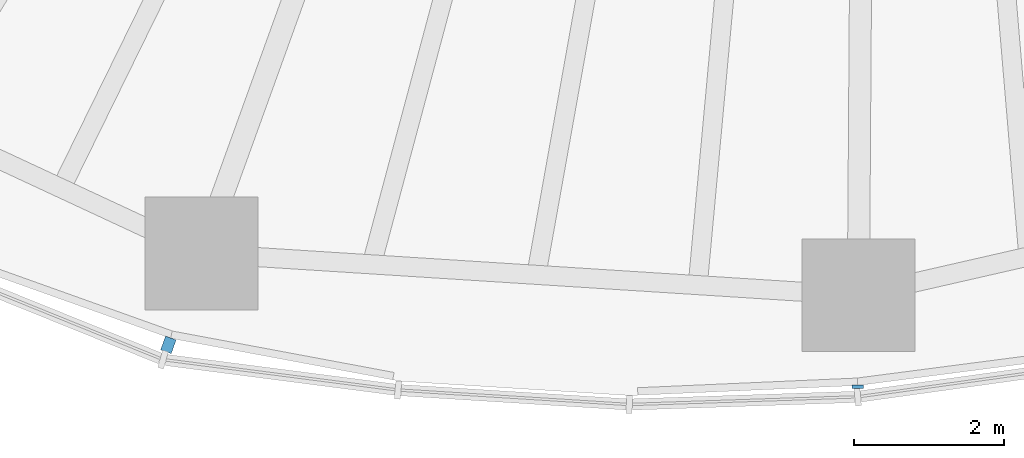
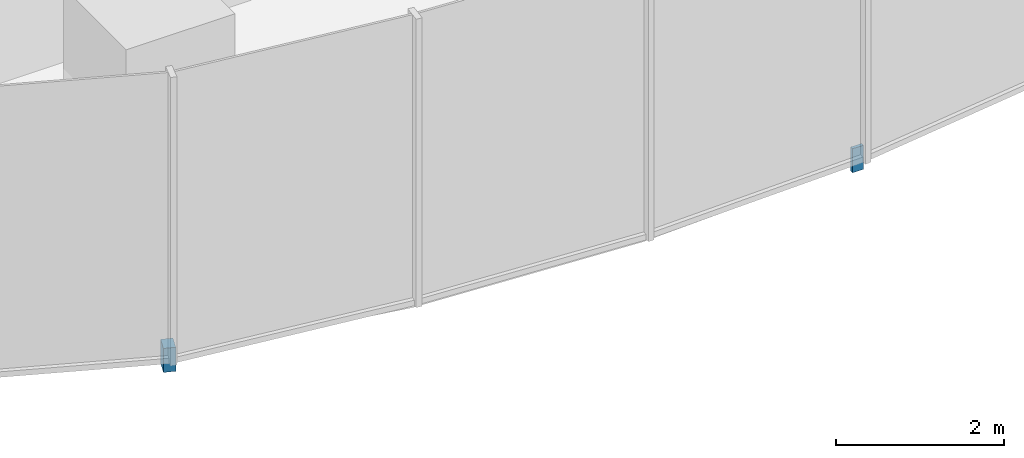
# One storey, part 12 of 18: 2 discrete accessories.
"""IFC4 building model written with IfcOpenShell, lengths in metres."""

from ifc_helpers import new_model, si_unit, direction, frame, origin, origin_2d, place, context, subcontext, project, spatial, rectangle, extrude, material, type_object, element, save


model = new_model("IFC4")

# Units and contexts
model_context = context("Model", 3, precision=1e-05, world=origin(), true_north=direction((0.0, 1.0)))
body_context = subcontext(model_context, "Body", "Model", "MODEL_VIEW")
ifc_project = project(units=[si_unit("LENGTHUNIT", "METRE"), si_unit("AREAUNIT", "SQUARE_METRE"), si_unit("VOLUMEUNIT", "CUBIC_METRE"), si_unit("PLANEANGLEUNIT", "RADIAN"), si_unit("MASSUNIT", "GRAM", prefix="KILO")], contexts=[model_context])

# Site, building, storey
site_placement = place(None, origin())
site = spatial("IfcSite", under=ifc_project, at=site_placement, CompositionType="ELEMENT")
building_placement = place(site_placement, origin())
building = spatial("IfcBuilding", under=site, at=building_placement, Name="Ghaith Harvest Tower", CompositionType="ELEMENT")
storey_placement = place(building_placement, frame((0.0, 0.0, 134.39990234375)))
storey = spatial("IfcBuildingStorey", under=building, at=storey_placement, Name="L28", CompositionType="ELEMENT", Elevation=134.39990234375)

# Discrete accessories
ifc_material_1 = material(Name="Stainless steel grade 1.4401", Category="steel")
discrete_accessory_type_1 = type_object("IfcDiscreteAccessoryType", Name="CURTAIN WALL BRACKET 195", PredefinedType="BRACKET", material=ifc_material_1)
discrete_accessory_1_placement = place(storey_placement, frame((-9.348388671875, -25.883544921875, -0.25), z_axis=(0.0, 0.0, 1.0), x_axis=(-0.33969945263, -0.940534040789, 0.0)))
element("IfcDiscreteAccessory", 1, at=discrete_accessory_1_placement, inside=storey, type_object=discrete_accessory_type_1, Name="CW-L bracket 1 bay 15 L28", PredefinedType="BRACKET", context=body_context, shape_type="SweptSolid", body=[
    extrude(rectangle(XDim=0.195068359375, YDim=0.14990234375, at=origin_2d()), origin(), (0.0, 0.0, 1.0), 0.35009765625),
])
ifc_material_2 = material(Name="Stainless steel grade 1.4401", Category="steel")
discrete_accessory_type_2 = type_object("IfcDiscreteAccessoryType", Name="CURTAIN WALL BRACKET 45", PredefinedType="BRACKET", material=ifc_material_2)
discrete_accessory_2_placement = place(storey_placement, frame((-0.180908203125, -26.441162109375, -0.25), z_axis=(0.0, 0.0, 1.0), x_axis=(-0.006843747957, -0.999976581283, 0.0)))
element("IfcDiscreteAccessory", 2, at=discrete_accessory_2_placement, inside=storey, type_object=discrete_accessory_type_2, Name="CW-L bracket 1 bay 16 L28", PredefinedType="BRACKET", context=body_context, shape_type="SweptSolid", body=[
    extrude(rectangle(XDim=0.044921875, YDim=0.14990234375, at=origin_2d()), origin(), (0.0, 0.0, 1.0), 0.35009765625),
])

save(model, "model.ifc")
